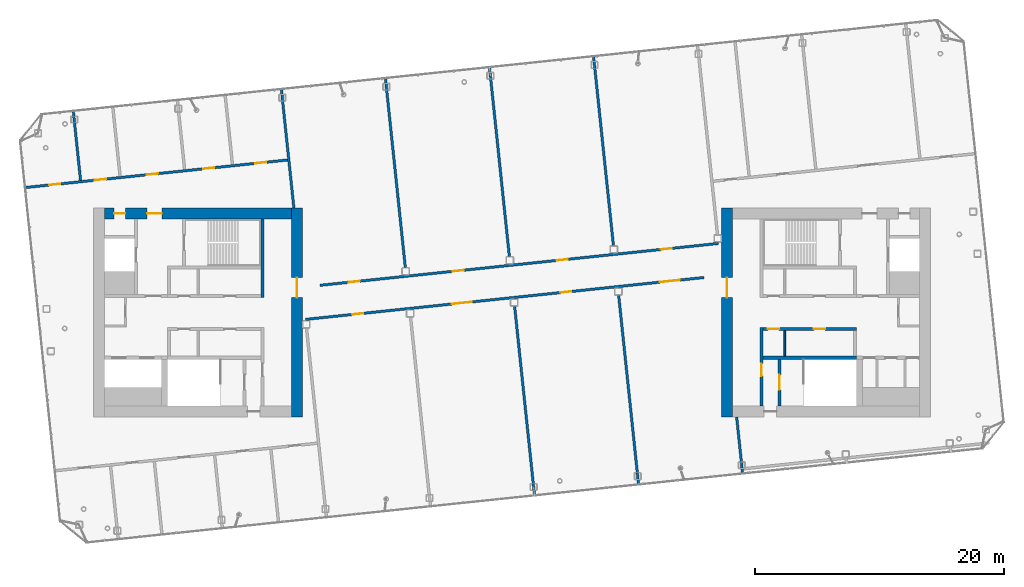
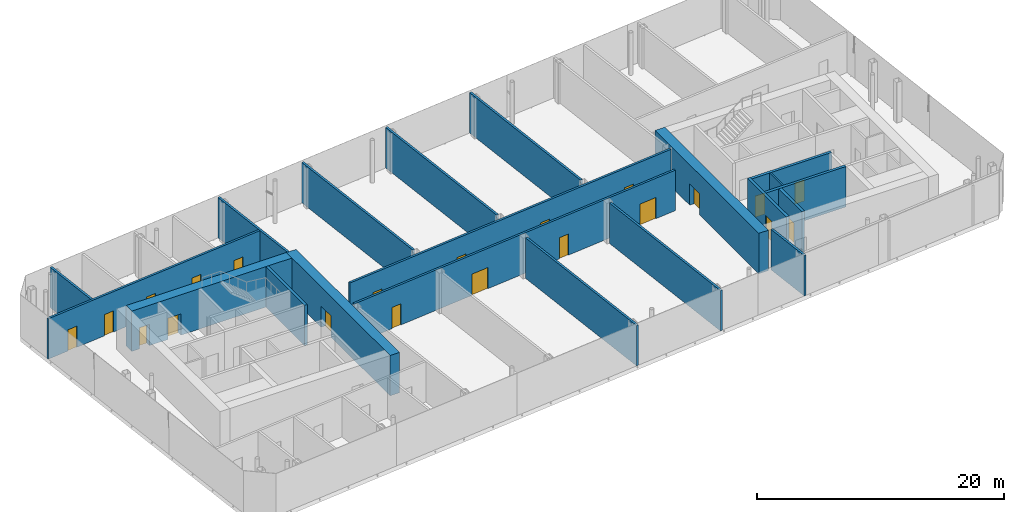
# One storey, part 9 of 28: 21 doors, 20 walls, 21 openings.
"""IFC4 building model written with IfcOpenShell, lengths in metres."""

from ifc_helpers import new_model, si_unit, direction, frame, frame_2d, origin, place, context, subcontext, project, spatial, rectangle, extrude, material, layer, layer_set, type_object, element, fill, save


model = new_model("IFC4")

# Units and contexts
model_context = context("Model", 3, precision=1e-05, world=origin(), true_north=direction((0.0, 1.0)))
body_context = subcontext(model_context, "Body", "Model", "MODEL_VIEW")
ifc_project = project(units=[si_unit("LENGTHUNIT", "METRE"), si_unit("AREAUNIT", "SQUARE_METRE"), si_unit("VOLUMEUNIT", "CUBIC_METRE"), si_unit("PLANEANGLEUNIT", "RADIAN"), si_unit("MASSUNIT", "GRAM", prefix="KILO")], contexts=[model_context])

# Site, building, storey
site_placement = place(None, origin())
site = spatial("IfcSite", under=ifc_project, at=site_placement, CompositionType="ELEMENT")
building_placement = place(site_placement, origin())
building = spatial("IfcBuilding", under=site, at=building_placement, Name="Hakoniwa Tower and Hamabe Station Hall", CompositionType="ELEMENT")
storey_placement = place(building_placement, frame((0.0, 0.0, 280.800048828125)))
storey = spatial("IfcBuildingStorey", under=building, at=storey_placement, Name="L78", CompositionType="ELEMENT", Elevation=280.800048828125)

# Wall
ifc_material_1 = material(Name="Gypsum board partition")
ifc_layer_1 = layer(ifc_material_1, 0.14990234375)
ifc_layer_set_1 = layer_set([ifc_layer_1], Name="CORE PARTITION 150 EI 60")
wall_type_1 = type_object("IfcWallType", Name="CORE PARTITION 150 EI 60", PredefinedType="PARTITIONING", material=ifc_layer_set_1)
wall_1_placement = place(storey_placement, frame((21.89990234375, -3.5, 0.0), z_axis=(0.0, 0.0, 1.0), x_axis=(0.0, 1.0, 0.0)))
element("IfcWall", 1, at=wall_1_placement, inside=storey, type_object=wall_type_1, Name="Core partition PFHR0 east", PredefinedType="PARTITIONING", context=body_context, shape_type="SweptSolid", body=[
    extrude(rectangle(XDim=2.050048828125, YDim=0.14990234375, at=frame_2d((1.02490234375, 0.0))), origin(), (0.0, 0.0, 1.0), 4.0),
])

# Wall, opening, door
ifc_material_2 = material(Name="Concrete C60", Category="concrete")
ifc_layer_2 = layer(ifc_material_2, 0.89990234375)
ifc_layer_set_2 = layer_set([ifc_layer_2], Name="CORE WALL 900 C60")
wall_type_2 = type_object("IfcWallType", Name="CORE WALL 900 C60", PredefinedType="SHEAR", material=ifc_layer_set_2)
wall_2_placement = place(storey_placement, frame((-17.25, -8.39990234375, 0.0), z_axis=(0.0, 0.0, 1.0), x_axis=(0.0, 1.0, 0.0)))
wall_2 = element("IfcWall", 2, at=wall_2_placement, inside=storey, type_object=wall_type_2, Name="Core wall INNER west", PredefinedType="SHEAR", context=body_context, shape_type="SweptSolid", body=[
    extrude(rectangle(XDim=16.7998046875, YDim=0.89990234375, at=frame_2d((8.39990234375, 0.0))), origin(), (0.0, 0.0, 1.0), 4.0),
])
opening_1_placement = place(wall_2_placement, frame((9.60009765625, 0.0, 0.0)))
opening_1 = element("IfcOpeningElement", 3, at=opening_1_placement, cuts=wall_2, Name="Opening CD-W-IN1-16", PredefinedType="OPENING", context=body_context, shape_type="SweptSolid", body=[
    extrude(rectangle(XDim=1.60009765625, YDim=2.10009765625, at=frame_2d((0.800048828125, 1.050048828125))), frame((0.0, 0.4599609375, 0.0), z_axis=(0.0, -1.0, 0.0), x_axis=(1.0, 0.0, 0.0)), (0.0, 0.0, 1.0), 0.919921875),
])
ifc_material_3 = material(Name="Steel fire door", Category="steel")
door_type_1 = type_object("IfcDoorType", Name="CORE DOOR 1600 FD60", OperationType="DOUBLE_DOOR_SINGLE_SWING", PredefinedType="DOOR", material=ifc_material_3)
door_1_placement = place(opening_1_placement, origin())
door_1 = element("IfcDoor", 4, at=door_1_placement, inside=storey, type_object=door_type_1, Name="Lift lobby door", OperationType="DOUBLE_DOOR_SINGLE_SWING", OverallHeight=2.10009765625, OverallWidth=1.60009765625, PredefinedType="DOOR", context=body_context, shape_type="SweptSolid", body=[
    extrude(rectangle(XDim=1.60009765625, YDim=2.10009765625, at=frame_2d((0.800048828125, 1.050048828125))), frame((0.0, 0.02490234375, 0.0), z_axis=(0.0, -1.0, 0.0), x_axis=(1.0, 0.0, 0.0)), (0.0, 0.0, 1.0), 0.050048828125),
])
fill(opening_1, door_1)

# Wall, openings, doors
wall_3_placement = place(storey_placement, frame((-32.699951171875, 7.949951171875, 0.0), z_axis=(0.0, 0.0, 1.0), x_axis=(1.0, 0.0, 0.0)))
wall_3 = element("IfcWall", 5, at=wall_3_placement, inside=storey, type_object=wall_type_2, Name="Core wall NORTH west", PredefinedType="SHEAR", context=body_context, shape_type="SweptSolid", body=[
    extrude(rectangle(XDim=15.0, YDim=0.89990234375, at=frame_2d((7.5, 0.0))), origin(), (0.0, 0.0, 1.0), 4.0),
])
opening_2_placement = place(wall_3_placement, frame((3.39990234375, 0.0, 0.0)))
opening_2 = element("IfcOpeningElement", 6, at=opening_2_placement, cuts=wall_3, Name="Opening CD-W-FN1-12", PredefinedType="OPENING", context=body_context, shape_type="SweptSolid", body=[
    extrude(rectangle(XDim=1.199951171875, YDim=2.10009765625, at=frame_2d((0.60009765625, 1.050048828125))), frame((0.0, 0.4599609375, 0.0), z_axis=(0.0, -1.0, 0.0), x_axis=(1.0, 0.0, 0.0)), (0.0, 0.0, 1.0), 0.919921875),
])
opening_3_placement = place(wall_3_placement, frame((0.75, 0.0, 0.0)))
opening_3 = element("IfcOpeningElement", 7, at=opening_3_placement, cuts=wall_3, Name="Opening CD-W-FN2-9", PredefinedType="OPENING", context=body_context, shape_type="SweptSolid", body=[
    extrude(rectangle(XDim=0.89990234375, YDim=2.10009765625, at=frame_2d((0.449951171875, 1.050048828125))), frame((0.0, 0.4599609375, 0.0), z_axis=(0.0, -1.0, 0.0), x_axis=(1.0, 0.0, 0.0)), (0.0, 0.0, 1.0), 0.919921875),
])
ifc_material_4 = material(Name="Steel fire door", Category="steel")
door_type_2 = type_object("IfcDoorType", Name="CORE DOOR 1200 FD60", OperationType="DOUBLE_DOOR_SINGLE_SWING", PredefinedType="DOOR", material=ifc_material_4)
door_2_placement = place(opening_2_placement, origin())
door_2 = element("IfcDoor", 8, at=door_2_placement, inside=storey, type_object=door_type_2, Name="Stair vestibule door to the fire-fighting lobby", OperationType="DOUBLE_DOOR_SINGLE_SWING", OverallHeight=2.10009765625, OverallWidth=1.199951171875, PredefinedType="DOOR", context=body_context, shape_type="SweptSolid", body=[
    extrude(rectangle(XDim=1.199951171875, YDim=2.10009765625, at=frame_2d((0.60009765625, 1.050048828125))), frame((0.0, 0.02490234375, 0.0), z_axis=(0.0, -1.0, 0.0), x_axis=(1.0, 0.0, 0.0)), (0.0, 0.0, 1.0), 0.050048828125),
])
fill(opening_2, door_2)
ifc_material_5 = material(Name="Steel fire door", Category="steel")
door_type_3 = type_object("IfcDoorType", Name="CORE DOOR 900 FD30", OperationType="NOTDEFINED", PredefinedType="DOOR", material=ifc_material_5)
door_3_placement = place(opening_3_placement, origin())
door_3 = element("IfcDoor", 9, at=door_3_placement, inside=storey, type_object=door_type_3, Name="Riser access door", OperationType="SINGLE_SWING_LEFT", OverallHeight=2.10009765625, OverallWidth=0.89990234375, PredefinedType="DOOR", context=body_context, shape_type="SweptSolid", body=[
    extrude(rectangle(XDim=0.89990234375, YDim=2.10009765625, at=frame_2d((0.449951171875, 1.050048828125))), frame((0.0, 0.02490234375, 0.0), z_axis=(0.0, -1.0, 0.0), x_axis=(1.0, 0.0, 0.0)), (0.0, 0.0, 1.0), 0.050048828125),
])
fill(opening_3, door_3)

# Wall, opening, door
wall_4_placement = place(storey_placement, frame((17.25, -8.39990234375, 0.0), z_axis=(0.0, 0.0, 1.0), x_axis=(0.0, 1.0, 0.0)))
wall_4 = element("IfcWall", 10, at=wall_4_placement, inside=storey, type_object=wall_type_2, Name="Core wall INNER east", PredefinedType="SHEAR", context=body_context, shape_type="SweptSolid", body=[
    extrude(rectangle(XDim=16.7998046875, YDim=0.89990234375, at=frame_2d((8.39990234375, 0.0))), origin(), (0.0, 0.0, 1.0), 4.0),
])
opening_4_placement = place(wall_4_placement, frame((9.60009765625, 0.0, 0.0)))
opening_4 = element("IfcOpeningElement", 11, at=opening_4_placement, cuts=wall_4, Name="Opening CD-E-IN1-16", PredefinedType="OPENING", context=body_context, shape_type="SweptSolid", body=[
    extrude(rectangle(XDim=1.60009765625, YDim=2.10009765625, at=frame_2d((0.800048828125, 1.050048828125))), frame((0.0, 0.4599609375, 0.0), z_axis=(0.0, -1.0, 0.0), x_axis=(1.0, 0.0, 0.0)), (0.0, 0.0, 1.0), 0.919921875),
])
door_4_placement = place(opening_4_placement, origin())
door_4 = element("IfcDoor", 12, at=door_4_placement, inside=storey, type_object=door_type_1, Name="Lift lobby door", OperationType="DOUBLE_DOOR_SINGLE_SWING", OverallHeight=2.10009765625, OverallWidth=1.60009765625, PredefinedType="DOOR", context=body_context, shape_type="SweptSolid", body=[
    extrude(rectangle(XDim=1.60009765625, YDim=2.10009765625, at=frame_2d((0.800048828125, 1.050048828125))), frame((0.0, 0.02490234375, 0.0), z_axis=(0.0, -1.0, 0.0), x_axis=(1.0, 0.0, 0.0)), (0.0, 0.0, 1.0), 0.050048828125),
])
fill(opening_4, door_4)

# Wall
ifc_material_6 = material(Name="Concrete C60", Category="concrete")
ifc_layer_3 = layer(ifc_material_6, 0.25)
ifc_layer_set_3 = layer_set([ifc_layer_3], Name="CORE WEB WALL 250 C60")
wall_type_3 = type_object("IfcWallType", Name="CORE WEB WALL 250 C60", PredefinedType="SHEAR", material=ifc_layer_set_3)
wall_5_placement = place(storey_placement, frame((-20.02490234375, 1.199951171875, 0.0), z_axis=(0.0, 0.0, 1.0), x_axis=(0.0, 1.0, 0.0)))
element("IfcWall", 13, at=wall_5_placement, inside=storey, type_object=wall_type_3, Name="Core wall W1N west", PredefinedType="SHEAR", context=body_context, shape_type="SweptSolid", body=[
    extrude(rectangle(XDim=6.300048828125, YDim=0.25, at=frame_2d((3.14990234375, 0.0))), origin(), (0.0, 0.0, 1.0), 4.0),
])

# Wall, opening, door
wall_6_placement = place(storey_placement, frame((20.02490234375, -7.5, 0.0), z_axis=(0.0, 0.0, 1.0), x_axis=(0.0, 1.0, 0.0)))
wall_6 = element("IfcWall", 14, at=wall_6_placement, inside=storey, type_object=wall_type_3, Name="Core wall W1S east", PredefinedType="SHEAR", context=body_context, shape_type="SweptSolid", body=[
    extrude(rectangle(XDim=6.300048828125, YDim=0.25, at=frame_2d((3.14990234375, 0.0))), origin(), (0.0, 0.0, 1.0), 4.0),
])
opening_5_placement = place(wall_6_placement, frame((2.39990234375, 0.0, 0.0)))
opening_5 = element("IfcOpeningElement", 15, at=opening_5_placement, cuts=wall_6, Name="Opening CD-E-VS-10", PredefinedType="OPENING", context=body_context, shape_type="SweptSolid", body=[
    extrude(rectangle(XDim=1.0, YDim=2.10009765625, at=frame_2d((0.5, 1.050048828125))), frame((0.0, 0.135009765625, 0.0), z_axis=(0.0, -1.0, 0.0), x_axis=(1.0, 0.0, 0.0)), (0.0, 0.0, 1.0), 0.27001953125),
])
ifc_material_7 = material(Name="Steel fire door", Category="steel")
door_type_4 = type_object("IfcDoorType", Name="CORE DOOR 1000 FD60", OperationType="NOTDEFINED", PredefinedType="DOOR", material=ifc_material_7)
door_5_placement = place(opening_5_placement, origin())
door_5 = element("IfcDoor", 16, at=door_5_placement, inside=storey, type_object=door_type_4, Name="Stair vestibule door", OperationType="SINGLE_SWING_RIGHT", OverallHeight=2.10009765625, OverallWidth=1.0, PredefinedType="DOOR", context=body_context, shape_type="SweptSolid", body=[
    extrude(rectangle(XDim=1.0, YDim=2.10009765625, at=frame_2d((0.5, 1.050048828125))), frame((0.0, 0.02490234375, 0.0), z_axis=(0.0, -1.0, 0.0), x_axis=(1.0, 0.0, 0.0)), (0.0, 0.0, 1.0), 0.050048828125),
])
fill(opening_5, door_5)

# Wall, openings, doors
wall_7_placement = place(storey_placement, frame((20.14990234375, -1.324951171875, 0.0), z_axis=(0.0, 0.0, 1.0), x_axis=(1.0, 0.0, 0.0)))
wall_7 = element("IfcWall", 17, at=wall_7_placement, inside=storey, type_object=wall_type_3, Name="Core wall SF east", PredefinedType="SHEAR", context=body_context, shape_type="SweptSolid", body=[
    extrude(rectangle(XDim=7.5, YDim=0.25, at=frame_2d((3.75, 0.0))), origin(), (0.0, 0.0, 1.0), 4.0),
])
opening_6_placement = place(wall_7_placement, frame((0.387451171875, 0.0, 0.0)))
opening_6 = element("IfcOpeningElement", 18, at=opening_6_placement, cuts=wall_7, Name="Opening CD-E-FRHR2-9", PredefinedType="OPENING", context=body_context, shape_type="SweptSolid", body=[
    extrude(rectangle(XDim=0.89990234375, YDim=2.10009765625, at=frame_2d((0.449951171875, 1.050048828125))), frame((0.0, 0.135009765625, 0.0), z_axis=(0.0, -1.0, 0.0), x_axis=(1.0, 0.0, 0.0)), (0.0, 0.0, 1.0), 0.27001953125),
])
opening_7_placement = place(wall_7_placement, frame((4.08740234375, 0.0, 0.0)))
opening_7 = element("IfcOpeningElement", 19, at=opening_7_placement, cuts=wall_7, Name="Opening CD-E-FRHR3-9", PredefinedType="OPENING", context=body_context, shape_type="SweptSolid", body=[
    extrude(rectangle(XDim=0.89990234375, YDim=2.10009765625, at=frame_2d((0.449951171875, 1.050048828125))), frame((0.0, 0.135009765625, 0.0), z_axis=(0.0, -1.0, 0.0), x_axis=(1.0, 0.0, 0.0)), (0.0, 0.0, 1.0), 0.27001953125),
])
door_6_placement = place(opening_6_placement, origin())
door_6 = element("IfcDoor", 20, at=door_6_placement, inside=storey, type_object=door_type_3, Name="Store room door", OperationType="SINGLE_SWING_LEFT", OverallHeight=2.10009765625, OverallWidth=0.89990234375, PredefinedType="DOOR", context=body_context, shape_type="SweptSolid", body=[
    extrude(rectangle(XDim=0.89990234375, YDim=2.10009765625, at=frame_2d((0.449951171875, 1.050048828125))), frame((0.0, 0.02490234375, 0.0), z_axis=(0.0, -1.0, 0.0), x_axis=(1.0, 0.0, 0.0)), (0.0, 0.0, 1.0), 0.050048828125),
])
fill(opening_6, door_6)
door_7_placement = place(opening_7_placement, origin())
door_7 = element("IfcDoor", 21, at=door_7_placement, inside=storey, type_object=door_type_3, Name="Store room door", OperationType="SINGLE_SWING_LEFT", OverallHeight=2.10009765625, OverallWidth=0.89990234375, PredefinedType="DOOR", context=body_context, shape_type="SweptSolid", body=[
    extrude(rectangle(XDim=0.89990234375, YDim=2.10009765625, at=frame_2d((0.449951171875, 1.050048828125))), frame((0.0, 0.02490234375, 0.0), z_axis=(0.0, -1.0, 0.0), x_axis=(1.0, 0.0, 0.0)), (0.0, 0.0, 1.0), 0.050048828125),
])
fill(opening_7, door_7)

# Wall
wall_8_placement = place(storey_placement, frame((20.14990234375, -3.625, 0.0), z_axis=(0.0, 0.0, 1.0), x_axis=(1.0, 0.0, 0.0)))
element("IfcWall", 22, at=wall_8_placement, inside=storey, type_object=wall_type_3, Name="Core wall SR east", PredefinedType="SHEAR", context=body_context, shape_type="SweptSolid", body=[
    extrude(rectangle(XDim=7.5, YDim=0.25, at=frame_2d((3.75, 0.0))), origin(), (0.0, 0.0, 1.0), 4.0),
])

# Wall, opening, door
wall_9_placement = place(storey_placement, frame((21.47509765625, -7.5, 0.0), z_axis=(0.0, 0.0, 1.0), x_axis=(0.0, 1.0, 0.0)))
wall_9 = element("IfcWall", 23, at=wall_9_placement, inside=storey, type_object=wall_type_3, Name="Core wall VE east", PredefinedType="SHEAR", context=body_context, shape_type="SweptSolid", body=[
    extrude(rectangle(XDim=3.75, YDim=0.25, at=frame_2d((1.875, 0.0))), origin(), (0.0, 0.0, 1.0), 4.0),
])
opening_8_placement = place(wall_9_placement, frame((1.300048828125, 0.0, 0.0)))
opening_8 = element("IfcOpeningElement", 24, at=opening_8_placement, cuts=wall_9, Name="Opening CD-E-SS-12", PredefinedType="OPENING", context=body_context, shape_type="SweptSolid", body=[
    extrude(rectangle(XDim=1.199951171875, YDim=2.10009765625, at=frame_2d((0.60009765625, 1.050048828125))), frame((0.0, 0.135009765625, 0.0), z_axis=(0.0, -1.0, 0.0), x_axis=(1.0, 0.0, 0.0)), (0.0, 0.0, 1.0), 0.27001953125),
])
door_8_placement = place(opening_8_placement, origin())
door_8 = element("IfcDoor", 25, at=door_8_placement, inside=storey, type_object=door_type_2, Name="Escape stair door", OperationType="DOUBLE_DOOR_SINGLE_SWING", OverallHeight=2.10009765625, OverallWidth=1.199951171875, PredefinedType="DOOR", context=body_context, shape_type="SweptSolid", body=[
    extrude(rectangle(XDim=1.199951171875, YDim=2.10009765625, at=frame_2d((0.60009765625, 1.050048828125))), frame((0.0, 0.02490234375, 0.0), z_axis=(0.0, -1.0, 0.0), x_axis=(1.0, 0.0, 0.0)), (0.0, 0.0, 1.0), 0.050048828125),
])
fill(opening_8, door_8)

# Wall, openings, doors
ifc_material_8 = material(Name="Fire-rated gypsum board partition", Category="gypsum")
ifc_layer_4 = layer(ifc_material_8, 0.199951171875)
ifc_layer_set_4 = layer_set([ifc_layer_4], Name="Corridor Wall 200")
wall_type_4 = type_object("IfcWallType", Name="Corridor Wall 200", PredefinedType="PARTITIONING", material=ifc_layer_set_4)
wall_10_placement = place(storey_placement, frame((-16.572021484375, -0.549072265625, 0.0), z_axis=(0.0, 0.0, 1.0), x_axis=(0.994521160982, 0.104535450248, 0.0)))
wall_10 = element("IfcWall", 26, at=wall_10_placement, inside=storey, type_object=wall_type_4, Name="GW-L78-003", PredefinedType="PARTITIONING", context=body_context, shape_type="SweptSolid", body=[
    extrude(rectangle(XDim=32.1689453125, YDim=0.199951171875, at=frame_2d((16.08447265625, 0.0))), origin(), (0.0, 0.0, 1.0), 4.0),
])
opening_9_placement = place(wall_10_placement, frame((3.75, 0.0, 0.0)))
opening_9 = element("IfcOpeningElement", 27, at=opening_9_placement, cuts=wall_10, Name="Opening GD-SL78-06", PredefinedType="OPENING", context=body_context, shape_type="SweptSolid", body=[
    extrude(rectangle(XDim=0.89990234375, YDim=2.10009765625, at=frame_2d((0.449951171875, 1.050048828125))), frame((0.0, 0.10986328125, 0.0), z_axis=(0.0, -1.0, 0.0), x_axis=(1.0, 0.0, 0.0)), (0.0, 0.0, 1.0), 0.219970703125),
])
opening_10_placement = place(wall_10_placement, frame((11.800048828125, 0.0, 0.0)))
opening_10 = element("IfcOpeningElement", 28, at=opening_10_placement, cuts=wall_10, Name="Opening GD-SL78-07", PredefinedType="OPENING", context=body_context, shape_type="SweptSolid", body=[
    extrude(rectangle(XDim=1.60009765625, YDim=2.10009765625, at=frame_2d((0.800048828125, 1.050048828125))), frame((0.0, 0.10986328125, 0.0), z_axis=(0.0, -1.0, 0.0), x_axis=(1.0, 0.0, 0.0)), (0.0, 0.0, 1.0), 0.219970703125),
])
opening_11_placement = place(wall_10_placement, frame((20.550048828125, 0.0, 0.0)))
opening_11 = element("IfcOpeningElement", 29, at=opening_11_placement, cuts=wall_10, Name="Opening GD-SL78-08", PredefinedType="OPENING", context=body_context, shape_type="SweptSolid", body=[
    extrude(rectangle(XDim=0.89990234375, YDim=2.10009765625, at=frame_2d((0.449951171875, 1.050048828125))), frame((0.0, 0.10986328125, 0.0), z_axis=(0.0, -1.0, 0.0), x_axis=(1.0, 0.0, 0.0)), (0.0, 0.0, 1.0), 0.219970703125),
])
opening_12_placement = place(wall_10_placement, frame((28.60009765625, 0.0, 0.0)))
opening_12 = element("IfcOpeningElement", 30, at=opening_12_placement, cuts=wall_10, Name="Opening GD-SL78-09", PredefinedType="OPENING", context=body_context, shape_type="SweptSolid", body=[
    extrude(rectangle(XDim=1.60009765625, YDim=2.10009765625, at=frame_2d((0.800048828125, 1.050048828125))), frame((0.0, 0.10986328125, 0.0), z_axis=(0.0, -1.0, 0.0), x_axis=(1.0, 0.0, 0.0)), (0.0, 0.0, 1.0), 0.219970703125),
])
ifc_material_9 = material(Name="Timber door leaf", Category="wood")
door_type_5 = type_object("IfcDoorType", Name="Double Door 1600", OperationType="DOUBLE_DOOR_SINGLE_SWING", PredefinedType="DOOR", material=ifc_material_9)
door_9_placement = place(opening_10_placement, origin())
door_9 = element("IfcDoor", 31, at=door_9_placement, inside=storey, type_object=door_type_5, Name="Door GD-SL78-07", OperationType="DOUBLE_DOOR_SINGLE_SWING", OverallHeight=2.10009765625, OverallWidth=1.60009765625, PredefinedType="DOOR", context=body_context, shape_type="SweptSolid", body=[
    extrude(rectangle(XDim=1.60009765625, YDim=2.10009765625, at=frame_2d((0.800048828125, 1.050048828125))), frame((0.0, 0.02490234375, 0.0), z_axis=(0.0, -1.0, 0.0), x_axis=(1.0, 0.0, 0.0)), (0.0, 0.0, 1.0), 0.050048828125),
])
fill(opening_10, door_9)
door_10_placement = place(opening_12_placement, origin())
door_10 = element("IfcDoor", 32, at=door_10_placement, inside=storey, type_object=door_type_5, Name="Door GD-SL78-09", OperationType="DOUBLE_DOOR_SINGLE_SWING", OverallHeight=2.10009765625, OverallWidth=1.60009765625, PredefinedType="DOOR", context=body_context, shape_type="SweptSolid", body=[
    extrude(rectangle(XDim=1.60009765625, YDim=2.10009765625, at=frame_2d((0.800048828125, 1.050048828125))), frame((0.0, 0.02490234375, 0.0), z_axis=(0.0, -1.0, 0.0), x_axis=(1.0, 0.0, 0.0)), (0.0, 0.0, 1.0), 0.050048828125),
])
fill(opening_12, door_10)
ifc_material_10 = material(Name="Timber door leaf", Category="wood")
door_type_6 = type_object("IfcDoorType", Name="Service Door 900", OperationType="SINGLE_SWING_LEFT", PredefinedType="DOOR", material=ifc_material_10)
door_11_placement = place(opening_9_placement, origin())
door_11 = element("IfcDoor", 33, at=door_11_placement, inside=storey, type_object=door_type_6, Name="Door GD-SL78-06", OperationType="SINGLE_SWING_RIGHT", OverallHeight=2.10009765625, OverallWidth=0.89990234375, PredefinedType="DOOR", context=body_context, shape_type="SweptSolid", body=[
    extrude(rectangle(XDim=0.89990234375, YDim=2.10009765625, at=frame_2d((0.449951171875, 1.050048828125))), frame((0.0, 0.02490234375, 0.0), z_axis=(0.0, -1.0, 0.0), x_axis=(1.0, 0.0, 0.0)), (0.0, 0.0, 1.0), 0.050048828125),
])
fill(opening_9, door_11)
door_12_placement = place(opening_11_placement, origin())
door_12 = element("IfcDoor", 34, at=door_12_placement, inside=storey, type_object=door_type_6, Name="Door GD-SL78-08", OperationType="SINGLE_SWING_RIGHT", OverallHeight=2.10009765625, OverallWidth=0.89990234375, PredefinedType="DOOR", context=body_context, shape_type="SweptSolid", body=[
    extrude(rectangle(XDim=0.89990234375, YDim=2.10009765625, at=frame_2d((0.449951171875, 1.050048828125))), frame((0.0, 0.02490234375, 0.0), z_axis=(0.0, -1.0, 0.0), x_axis=(1.0, 0.0, 0.0)), (0.0, 0.0, 1.0), 0.050048828125),
])
fill(opening_11, door_12)

wall_11_placement = place(storey_placement, frame((-15.419921875, 2.1865234375, 0.0), z_axis=(0.0, 0.0, 1.0), x_axis=(0.994521701188, 0.104530310751, 0.0)))
wall_11 = element("IfcWall", 35, at=wall_11_placement, inside=storey, type_object=wall_type_4, Name="GW-L78-004", PredefinedType="PARTITIONING", context=body_context, shape_type="SweptSolid", body=[
    extrude(rectangle(XDim=32.168212890625, YDim=0.199951171875, at=frame_2d((16.083984375, 0.0))), origin(), (0.0, 0.0, 1.0), 4.0),
])
opening_13_placement = place(wall_11_placement, frame((2.318359375, 0.0, 0.0)))
opening_13 = element("IfcOpeningElement", 36, at=opening_13_placement, cuts=wall_11, Name="Opening GD-SL78-10", PredefinedType="OPENING", context=body_context, shape_type="SweptSolid", body=[
    extrude(rectangle(XDim=0.89990234375, YDim=2.10009765625, at=frame_2d((0.449951171875, 1.050048828125))), frame((0.0, 0.10986328125, 0.0), z_axis=(0.0, -1.0, 0.0), x_axis=(1.0, 0.0, 0.0)), (0.0, 0.0, 1.0), 0.219970703125),
])
opening_14_placement = place(wall_11_placement, frame((10.71826171875, 0.0, 0.0)))
opening_14 = element("IfcOpeningElement", 37, at=opening_14_placement, cuts=wall_11, Name="Opening GD-SL78-11", PredefinedType="OPENING", context=body_context, shape_type="SweptSolid", body=[
    extrude(rectangle(XDim=0.89990234375, YDim=2.10009765625, at=frame_2d((0.449951171875, 1.050048828125))), frame((0.0, 0.10986328125, 0.0), z_axis=(0.0, -1.0, 0.0), x_axis=(1.0, 0.0, 0.0)), (0.0, 0.0, 1.0), 0.219970703125),
])
opening_15_placement = place(wall_11_placement, frame((19.118408203125, 0.0, 0.0)))
opening_15 = element("IfcOpeningElement", 38, at=opening_15_placement, cuts=wall_11, Name="Opening GD-SL78-12", PredefinedType="OPENING", context=body_context, shape_type="SweptSolid", body=[
    extrude(rectangle(XDim=0.89990234375, YDim=2.10009765625, at=frame_2d((0.449951171875, 1.050048828125))), frame((0.0, 0.10986328125, 0.0), z_axis=(0.0, -1.0, 0.0), x_axis=(1.0, 0.0, 0.0)), (0.0, 0.0, 1.0), 0.219970703125),
])
opening_16_placement = place(wall_11_placement, frame((27.518310546875, 0.0, 0.0)))
opening_16 = element("IfcOpeningElement", 39, at=opening_16_placement, cuts=wall_11, Name="Opening GD-SL78-13", PredefinedType="OPENING", context=body_context, shape_type="SweptSolid", body=[
    extrude(rectangle(XDim=0.89990234375, YDim=2.10009765625, at=frame_2d((0.449951171875, 1.050048828125))), frame((0.0, 0.10986328125, 0.0), z_axis=(0.0, -1.0, 0.0), x_axis=(1.0, 0.0, 0.0)), (0.0, 0.0, 1.0), 0.219970703125),
])
door_13_placement = place(opening_13_placement, origin())
door_13 = element("IfcDoor", 40, at=door_13_placement, inside=storey, type_object=door_type_6, Name="Door GD-SL78-10", OperationType="SINGLE_SWING_RIGHT", OverallHeight=2.10009765625, OverallWidth=0.89990234375, PredefinedType="DOOR", context=body_context, shape_type="SweptSolid", body=[
    extrude(rectangle(XDim=0.89990234375, YDim=2.10009765625, at=frame_2d((0.449951171875, 1.050048828125))), frame((0.0, 0.02490234375, 0.0), z_axis=(0.0, -1.0, 0.0), x_axis=(1.0, 0.0, 0.0)), (0.0, 0.0, 1.0), 0.050048828125),
])
fill(opening_13, door_13)
door_14_placement = place(opening_14_placement, origin())
door_14 = element("IfcDoor", 41, at=door_14_placement, inside=storey, type_object=door_type_6, Name="Door GD-SL78-11", OperationType="SINGLE_SWING_LEFT", OverallHeight=2.10009765625, OverallWidth=0.89990234375, PredefinedType="DOOR", context=body_context, shape_type="SweptSolid", body=[
    extrude(rectangle(XDim=0.89990234375, YDim=2.10009765625, at=frame_2d((0.449951171875, 1.050048828125))), frame((0.0, 0.02490234375, 0.0), z_axis=(0.0, -1.0, 0.0), x_axis=(1.0, 0.0, 0.0)), (0.0, 0.0, 1.0), 0.050048828125),
])
fill(opening_14, door_14)
door_15_placement = place(opening_15_placement, origin())
door_15 = element("IfcDoor", 42, at=door_15_placement, inside=storey, type_object=door_type_6, Name="Door GD-SL78-12", OperationType="SINGLE_SWING_RIGHT", OverallHeight=2.10009765625, OverallWidth=0.89990234375, PredefinedType="DOOR", context=body_context, shape_type="SweptSolid", body=[
    extrude(rectangle(XDim=0.89990234375, YDim=2.10009765625, at=frame_2d((0.449951171875, 1.050048828125))), frame((0.0, 0.02490234375, 0.0), z_axis=(0.0, -1.0, 0.0), x_axis=(1.0, 0.0, 0.0)), (0.0, 0.0, 1.0), 0.050048828125),
])
fill(opening_15, door_15)
door_16_placement = place(opening_16_placement, origin())
door_16 = element("IfcDoor", 43, at=door_16_placement, inside=storey, type_object=door_type_6, Name="Door GD-SL78-13", OperationType="SINGLE_SWING_LEFT", OverallHeight=2.10009765625, OverallWidth=0.89990234375, PredefinedType="DOOR", context=body_context, shape_type="SweptSolid", body=[
    extrude(rectangle(XDim=0.89990234375, YDim=2.10009765625, at=frame_2d((0.449951171875, 1.050048828125))), frame((0.0, 0.02490234375, 0.0), z_axis=(0.0, -1.0, 0.0), x_axis=(1.0, 0.0, 0.0)), (0.0, 0.0, 1.0), 0.050048828125),
])
fill(opening_16, door_16)

wall_12_placement = place(storey_placement, frame((-39.101806640625, 10.033935546875, 0.0), z_axis=(0.0, 0.0, 1.0), x_axis=(0.994522585465, 0.104521897229, 0.0)))
wall_12 = element("IfcWall", 44, at=wall_12_placement, inside=storey, type_object=wall_type_4, Name="GW-L78-006", PredefinedType="PARTITIONING", context=body_context, shape_type="SweptSolid", body=[
    extrude(rectangle(XDim=21.300048828125, YDim=0.199951171875, at=frame_2d((10.64990234375, 0.0))), origin(), (0.0, 0.0, 1.0), 4.0),
])
opening_17_placement = place(wall_12_placement, frame((1.949951171875, 0.0, 0.0)))
opening_17 = element("IfcOpeningElement", 45, at=opening_17_placement, cuts=wall_12, Name="Opening GD-SL78-18", PredefinedType="OPENING", context=body_context, shape_type="SweptSolid", body=[
    extrude(rectangle(XDim=0.89990234375, YDim=2.10009765625, at=frame_2d((0.449951171875, 1.050048828125))), frame((0.0, 0.10986328125, 0.0), z_axis=(0.0, -1.0, 0.0), x_axis=(1.0, 0.0, 0.0)), (0.0, 0.0, 1.0), 0.219970703125),
])
opening_18_placement = place(wall_12_placement, frame((5.64501953125, 0.0, 0.0)))
opening_18 = element("IfcOpeningElement", 46, at=opening_18_placement, cuts=wall_12, Name="Opening GD-SL78-19", PredefinedType="OPENING", context=body_context, shape_type="SweptSolid", body=[
    extrude(rectangle(XDim=0.89990234375, YDim=2.10009765625, at=frame_2d((0.449951171875, 1.050048828125))), frame((0.0, 0.10986328125, 0.0), z_axis=(0.0, -1.0, 0.0), x_axis=(1.0, 0.0, 0.0)), (0.0, 0.0, 1.0), 0.219970703125),
])
opening_19_placement = place(wall_12_placement, frame((9.844970703125, 0.0, 0.0)))
opening_19 = element("IfcOpeningElement", 47, at=opening_19_placement, cuts=wall_12, Name="Opening GD-SL78-20", PredefinedType="OPENING", context=body_context, shape_type="SweptSolid", body=[
    extrude(rectangle(XDim=0.89990234375, YDim=2.10009765625, at=frame_2d((0.449951171875, 1.050048828125))), frame((0.0, 0.10986328125, 0.0), z_axis=(0.0, -1.0, 0.0), x_axis=(1.0, 0.0, 0.0)), (0.0, 0.0, 1.0), 0.219970703125),
])
opening_20_placement = place(wall_12_placement, frame((14.3798828125, 0.0, 0.0)))
opening_20 = element("IfcOpeningElement", 48, at=opening_20_placement, cuts=wall_12, Name="Opening GD-SL78-21", PredefinedType="OPENING", context=body_context, shape_type="SweptSolid", body=[
    extrude(rectangle(XDim=0.89990234375, YDim=2.10009765625, at=frame_2d((0.449951171875, 1.050048828125))), frame((0.0, 0.10986328125, 0.0), z_axis=(0.0, -1.0, 0.0), x_axis=(1.0, 0.0, 0.0)), (0.0, 0.0, 1.0), 0.219970703125),
])
opening_21_placement = place(wall_12_placement, frame((18.580078125, 0.0, 0.0)))
opening_21 = element("IfcOpeningElement", 49, at=opening_21_placement, cuts=wall_12, Name="Opening GD-SL78-22", PredefinedType="OPENING", context=body_context, shape_type="SweptSolid", body=[
    extrude(rectangle(XDim=0.89990234375, YDim=2.10009765625, at=frame_2d((0.449951171875, 1.050048828125))), frame((0.0, 0.10986328125, 0.0), z_axis=(0.0, -1.0, 0.0), x_axis=(1.0, 0.0, 0.0)), (0.0, 0.0, 1.0), 0.219970703125),
])
door_17_placement = place(opening_17_placement, origin())
door_17 = element("IfcDoor", 50, at=door_17_placement, inside=storey, type_object=door_type_6, Name="Door GD-SL78-18", OperationType="SINGLE_SWING_LEFT", OverallHeight=2.10009765625, OverallWidth=0.89990234375, PredefinedType="DOOR", context=body_context, shape_type="SweptSolid", body=[
    extrude(rectangle(XDim=0.89990234375, YDim=2.10009765625, at=frame_2d((0.449951171875, 1.050048828125))), frame((0.0, 0.02490234375, 0.0), z_axis=(0.0, -1.0, 0.0), x_axis=(1.0, 0.0, 0.0)), (0.0, 0.0, 1.0), 0.050048828125),
])
fill(opening_17, door_17)
door_18_placement = place(opening_18_placement, origin())
door_18 = element("IfcDoor", 51, at=door_18_placement, inside=storey, type_object=door_type_6, Name="Door GD-SL78-19", OperationType="SINGLE_SWING_LEFT", OverallHeight=2.10009765625, OverallWidth=0.89990234375, PredefinedType="DOOR", context=body_context, shape_type="SweptSolid", body=[
    extrude(rectangle(XDim=0.89990234375, YDim=2.10009765625, at=frame_2d((0.449951171875, 1.050048828125))), frame((0.0, 0.02490234375, 0.0), z_axis=(0.0, -1.0, 0.0), x_axis=(1.0, 0.0, 0.0)), (0.0, 0.0, 1.0), 0.050048828125),
])
fill(opening_18, door_18)
door_19_placement = place(opening_19_placement, origin())
door_19 = element("IfcDoor", 52, at=door_19_placement, inside=storey, type_object=door_type_6, Name="Door GD-SL78-20", OperationType="SINGLE_SWING_LEFT", OverallHeight=2.10009765625, OverallWidth=0.89990234375, PredefinedType="DOOR", context=body_context, shape_type="SweptSolid", body=[
    extrude(rectangle(XDim=0.89990234375, YDim=2.10009765625, at=frame_2d((0.449951171875, 1.050048828125))), frame((0.0, 0.02490234375, 0.0), z_axis=(0.0, -1.0, 0.0), x_axis=(1.0, 0.0, 0.0)), (0.0, 0.0, 1.0), 0.050048828125),
])
fill(opening_19, door_19)
door_20_placement = place(opening_20_placement, origin())
door_20 = element("IfcDoor", 53, at=door_20_placement, inside=storey, type_object=door_type_6, Name="Door GD-SL78-21", OperationType="SINGLE_SWING_RIGHT", OverallHeight=2.10009765625, OverallWidth=0.89990234375, PredefinedType="DOOR", context=body_context, shape_type="SweptSolid", body=[
    extrude(rectangle(XDim=0.89990234375, YDim=2.10009765625, at=frame_2d((0.449951171875, 1.050048828125))), frame((0.0, 0.02490234375, 0.0), z_axis=(0.0, -1.0, 0.0), x_axis=(1.0, 0.0, 0.0)), (0.0, 0.0, 1.0), 0.050048828125),
])
fill(opening_20, door_20)
door_21_placement = place(opening_21_placement, origin())
door_21 = element("IfcDoor", 54, at=door_21_placement, inside=storey, type_object=door_type_6, Name="Door GD-SL78-22", OperationType="SINGLE_SWING_LEFT", OverallHeight=2.10009765625, OverallWidth=0.89990234375, PredefinedType="DOOR", context=body_context, shape_type="SweptSolid", body=[
    extrude(rectangle(XDim=0.89990234375, YDim=2.10009765625, at=frame_2d((0.449951171875, 1.050048828125))), frame((0.0, 0.02490234375, 0.0), z_axis=(0.0, -1.0, 0.0), x_axis=(1.0, 0.0, 0.0)), (0.0, 0.0, 1.0), 0.050048828125),
])
fill(opening_21, door_21)

# Walls
ifc_material_11 = material(Name="Fire-rated gypsum board partition", Category="gypsum")
ifc_layer_5 = layer(ifc_material_11, 0.199951171875)
ifc_layer_set_5 = layer_set([ifc_layer_5], Name="Party Wall 200")
wall_type_5 = type_object("IfcWallType", Name="Party Wall 200", PredefinedType="PARTITIONING", material=ifc_layer_set_5)
wall_13_placement = place(storey_placement, frame((-34.63671875, 10.603759765625, 0.0), z_axis=(0.0, 0.0, 1.0), x_axis=(-0.104560413987, 0.994518536693, 0.0)))
element("IfcWall", 55, at=wall_13_placement, inside=storey, type_object=wall_type_5, Name="GW-L78-008", PredefinedType="PARTITIONING", context=body_context, shape_type="SweptSolid", body=[
    extrude(rectangle(XDim=5.6201171875, YDim=0.199951171875, at=frame_2d((2.81005859375, 0.0))), origin(), (0.0, 0.0, 1.0), 4.0),
])
wall_14_placement = place(storey_placement, frame((-17.51220703125, 8.39501953125, 0.0), z_axis=(0.0, 0.0, 1.0), x_axis=(-0.104524714473, 0.994522289375, 0.0)))
element("IfcWall", 56, at=wall_14_placement, inside=storey, type_object=wall_type_5, Name="GW-L78-016", PredefinedType="PARTITIONING", context=body_context, shape_type="SweptSolid", body=[
    extrude(rectangle(XDim=9.60693359375, YDim=0.199951171875, at=frame_2d((4.803466796875, 0.0))), origin(), (0.0, 0.0, 1.0), 4.0),
])
for number, where, z_axis, x_axis, name in (
    (57, (-8.562255859375, 3.6025390625, 0.0), (0.0, 0.0, 1.0), (-0.104523729364, 0.99452239291, 0.0), "GW-L78-018"),
    (58, (1.808349609375, -14.705322265625, 0.0), (0.0, 0.0, 1.0), (-0.104523729364, 0.99452239291, 0.0), "GW-L78-019"),
    (59, (-0.208251953125, 4.480712890625, 0.0), (0.0, 0.0, 1.0), (-0.104523729364, 0.99452239291, 0.0), "GW-L78-020"),
    (60, (10.162353515625, -13.8271484375, 0.0), (0.0, 0.0, 1.0), (-0.104523729364, 0.99452239291, 0.0), "GW-L78-021"),
    (61, (8.145751953125, 5.358642578125, 0.0), (0.0, 0.0, 1.0), (-0.104523729364, 0.99452239291, 0.0), "GW-L78-022"),
):
    element("IfcWall", number, at=place(storey_placement, frame(where, z_axis=z_axis, x_axis=x_axis)), inside=storey, type_object=wall_type_5, Name=name, PredefinedType="PARTITIONING", context=body_context, shape_type="SweptSolid", body=[
        extrude(rectangle(XDim=15.308349609375, YDim=0.199951171875, at=frame_2d((7.654296875, 0.0))), origin(), (0.0, 0.0, 1.0), 4.0),
    ])
wall_15_placement = place(storey_placement, frame((18.516357421875, -12.94921875, 0.0), z_axis=(0.0, 0.0, 1.0), x_axis=(-0.104548796268, 0.994519758074, 0.0)))
element("IfcWall", 62, at=wall_15_placement, inside=storey, type_object=wall_type_5, Name="GW-L78-023", PredefinedType="PARTITIONING", context=body_context, shape_type="SweptSolid", body=[
    extrude(rectangle(XDim=4.579345703125, YDim=0.199951171875, at=frame_2d((2.28955078125, 0.0))), origin(), (0.0, 0.0, 1.0), 4.0),
])

save(model, "model.ifc")
